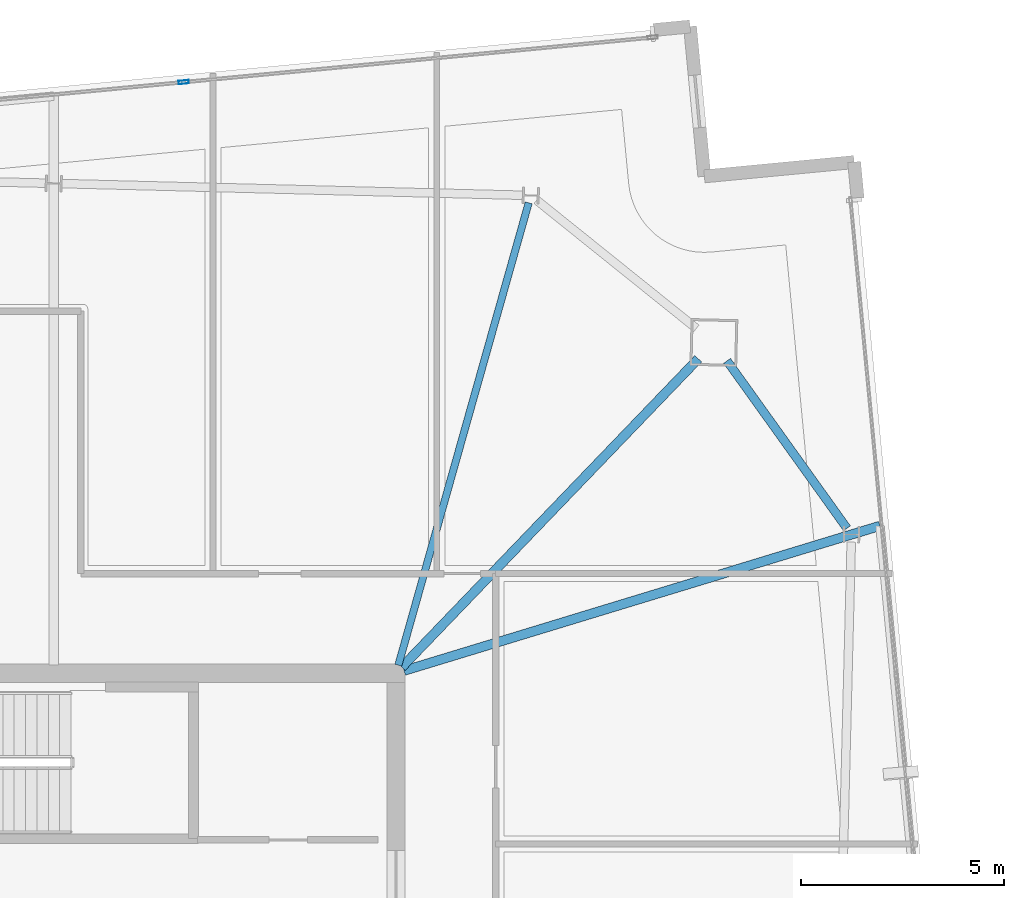
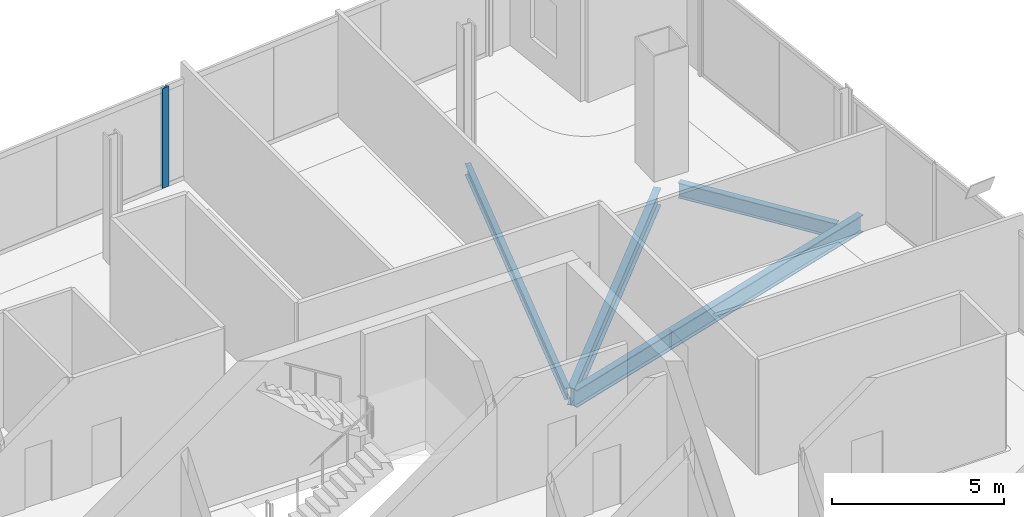
# One storey, part 14 of 24: 4 beams, 1 member, 1 element without a shape of its own.
"""IFC4 building model written with IfcOpenShell, lengths in metres."""

from ifc_helpers import new_model, si_unit, direction, frame, origin, origin_2d, place, context, subcontext, project, spatial, hollow_rectangle, i_section, extrude, material, material_profile, profile_set, type_object, element, aggregate, save


model = new_model("IFC4")

# Units and contexts
model_context = context("Model", 3, precision=1e-05, world=origin(), true_north=direction((0.0, 1.0)))
body_context = subcontext(model_context, "Body", "Model", "MODEL_VIEW")
ifc_project = project(units=[si_unit("LENGTHUNIT", "METRE"), si_unit("AREAUNIT", "SQUARE_METRE"), si_unit("VOLUMEUNIT", "CUBIC_METRE"), si_unit("PLANEANGLEUNIT", "RADIAN"), si_unit("MASSUNIT", "GRAM", prefix="KILO")], contexts=[model_context])

# Site, building, storey
site_placement = place(None, origin())
site = spatial("IfcSite", under=ifc_project, at=site_placement, CompositionType="ELEMENT")
building_placement = place(site_placement, origin())
building = spatial("IfcBuilding", under=site, at=building_placement, Name="Haldenkirk Collegiate Tower", CompositionType="ELEMENT")
storey_placement = place(building_placement, frame((0.0, 0.0, 347.699951171875)))
storey = spatial("IfcBuildingStorey", under=building, at=storey_placement, Name="L88", CompositionType="ELEMENT", Elevation=347.699951171875)

# Beams
ifc_material_1 = material(Name="Steel ASTM A992 Grade 50", Category="steel")
ifc_material_profile_1 = material_profile(ifc_material_1, i_section(OverallWidth=0.22998046875, OverallDepth=0.616943359375, WebThickness=0.01318359375, FlangeThickness=0.022216796875, at=origin_2d()), Name="W24X94")
ifc_profile_set_1 = profile_set([ifc_material_profile_1], Name="Steel ASTM A992 Grade 50")
beam_type_1 = type_object("IfcBeamType", Name="BM-GIRDER-W24X94", PredefinedType="BEAM", material=ifc_profile_set_1)
beam_1_placement = place(storey_placement, frame((52.428955078125, 41.7294921875, -0.62841796875), z_axis=(-0.692944915375, -0.720990529935, 0.0), x_axis=(0.720990529935, -0.692944915375, 0.0)))
element("IfcBeam", 1, at=beam_1_placement, inside=storey, type_object=beam_type_1, Name="L88 primary floor girder 02", PredefinedType="BEAM", context=body_context, shape_type="SweptSolid", body=[
    extrude(i_section(OverallWidth=0.22998046875, OverallDepth=0.616943359375, WebThickness=0.01318359375, FlangeThickness=0.022216796875, at=origin_2d()), origin(), (0.0, 0.0, 1.0), 10.515869140625),
])
beam_2_placement = place(storey_placement, frame((56.895751953125, 37.621826171875, -0.62841796875), z_axis=(-0.956645831702, -0.291253759954, 0.0), x_axis=(0.291253759954, -0.956645831702, 0.0)))
element("IfcBeam", 2, at=beam_2_placement, inside=storey, type_object=beam_type_1, Name="L88 primary floor girder 07", PredefinedType="BEAM", context=body_context, shape_type="SweptSolid", body=[
    extrude(i_section(OverallWidth=0.22998046875, OverallDepth=0.616943359375, WebThickness=0.01318359375, FlangeThickness=0.022216796875, at=origin_2d()), origin(), (0.0, 0.0, 1.0), 12.22998046875),
])
ifc_material_profile_2 = material_profile(ifc_material_1, i_section(OverallWidth=0.177978515625, OverallDepth=0.406005859375, WebThickness=0.0078125, FlangeThickness=0.0126953125, at=origin_2d()), Name="W16X40")
ifc_profile_set_2 = profile_set([ifc_material_profile_2], Name="Steel ASTM A992 Grade 50")
beam_type_2 = type_object("IfcBeamType", Name="BM-JOIST-W16X40", PredefinedType="JOIST", material=ifc_profile_set_2)
beam_3_placement = place(storey_placement, frame((48.260498046875, 45.56396484375, -0.52294921875), z_axis=(-0.271369327718, -0.962475292137, 0.0), x_axis=(0.962475292137, -0.271369327718, 0.0)))
element("IfcBeam", 3, at=beam_3_placement, inside=storey, type_object=beam_type_2, Name="L88 composite floor joist 08", PredefinedType="JOIST", context=body_context, shape_type="SweptSolid", body=[
    extrude(i_section(OverallWidth=0.177978515625, OverallDepth=0.406005859375, WebThickness=0.0078125, FlangeThickness=0.0126953125, at=origin_2d()), origin(), (0.0, 0.0, 1.0), 11.809814453125),
])
ifc_material_profile_3 = material_profile(ifc_material_1, i_section(OverallWidth=0.2099609375, OverallDepth=0.537109375, WebThickness=0.010986328125, FlangeThickness=0.017333984375, at=origin_2d()), Name="W21X68")
ifc_profile_set_3 = profile_set([ifc_material_profile_3], Name="Steel ASTM A992 Grade 50")
beam_type_3 = type_object("IfcBeamType", Name="BM-SPANDREL-W21X68", PredefinedType="SPANDREL", material=ifc_profile_set_3)
beam_4_placement = place(storey_placement, frame((56.085693359375, 37.561279296875, -0.58837890625), z_axis=(-0.582300220922, 0.812973832737, 0.0), x_axis=(-0.812973832737, -0.582300220922, 0.0)))
element("IfcBeam", 4, at=beam_4_placement, inside=storey, type_object=beam_type_3, Name="L88 perimeter spandrel beam 04", PredefinedType="SPANDREL", context=body_context, shape_type="SweptSolid", body=[
    extrude(i_section(OverallWidth=0.2099609375, OverallDepth=0.537109375, WebThickness=0.010986328125, FlangeThickness=0.017333984375, at=origin_2d()), origin(), (0.0, 0.0, 1.0), 5.064453125),
])

# Curtain wall, member
ifc_material_2 = material(Name="Anodised architectural bronze aluminium", Category="aluminium")
curtain_wall_type = type_object("IfcCurtainWallType", Name="CW-SYS1B-CONVEX-HI", PredefinedType="USERDEFINED", material=ifc_material_2)
curtain_wall_placement = place(storey_placement, origin())
curtain_wall = element("IfcCurtainWall", 5, at=curtain_wall_placement, inside=storey, type_object=curtain_wall_type, Name="L88 Upper tower high-wind convex bronze unitised curtain wall", ObjectType="UNITISED CURTAIN WALL", PredefinedType="USERDEFINED")
ifc_material_profile_4 = material_profile(ifc_material_2, hollow_rectangle(XDim=0.0849609375, YDim=0.25, WallThickness=0.0048828125, at=origin_2d()), Name="CW-MUL-1B")
ifc_profile_set_4 = profile_set([ifc_material_profile_4], Name="Anodised architectural bronze aluminium")
member_type = type_object("IfcMemberType", Name="CW-MUL-1B", PredefinedType="MULLION", material=ifc_profile_set_4)
member_placement = place(storey_placement, frame((39.77734375, 48.530517578125, 0.0), z_axis=(0.0, 0.0, 1.0), x_axis=(-0.094976204743, 0.995479543001, 0.0)))
member = element("IfcMember", 6, at=member_placement, type_object=member_type, Name="CW-1B mullion 3", PredefinedType="MULLION", context=body_context, shape_type="SweptSolid", body=[
    extrude(hollow_rectangle(XDim=0.0849609375, YDim=0.25, WallThickness=0.0048828125, at=origin_2d()), origin(), (0.0, 0.0, 1.0), 3.55810546875),
])
aggregate(curtain_wall, [member])

save(model, "model.ifc")
